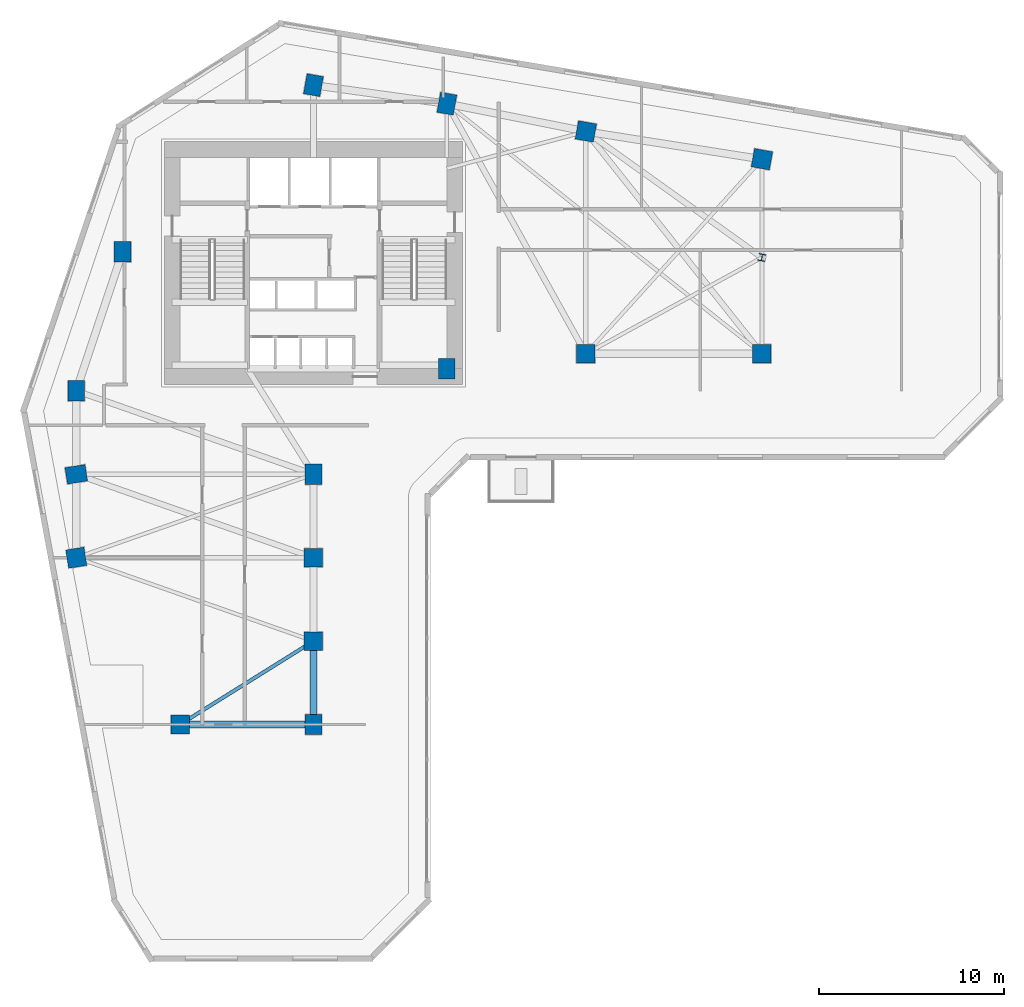
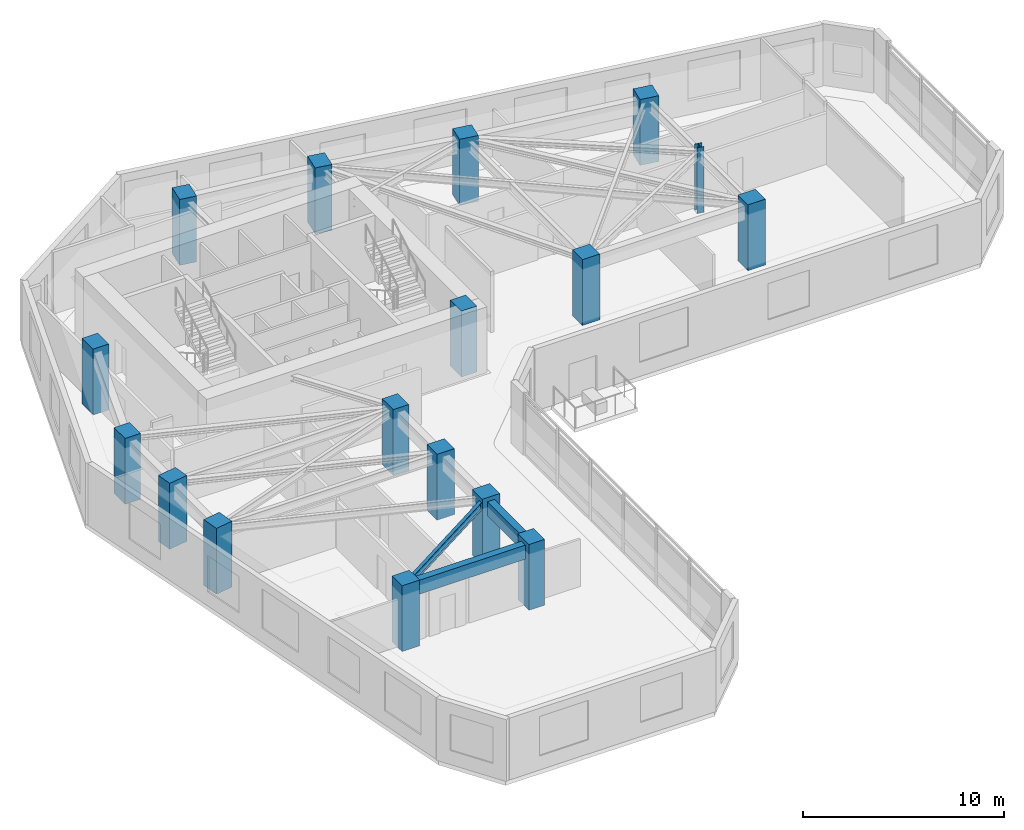
# One storey, part 1 of 11: 17 columns, 3 beams.
"""IFC4 building model written with IfcOpenShell, lengths in metres."""

from ifc_helpers import new_model, si_unit, direction, frame, origin, origin_2d, place, context, subcontext, project, spatial, rectangle, i_section, extrude, source, transform, mapped, material, material_profile, profile_set, type_object, element, save


model = new_model("IFC4")

# Units and contexts
model_context = context("Model", 3, precision=1e-05, world=origin(), true_north=direction((0.0, 1.0)))
body_context = subcontext(model_context, "Body", "Model", "MODEL_VIEW")
ifc_project = project(units=[si_unit("LENGTHUNIT", "METRE"), si_unit("AREAUNIT", "SQUARE_METRE"), si_unit("VOLUMEUNIT", "CUBIC_METRE"), si_unit("PLANEANGLEUNIT", "RADIAN"), si_unit("MASSUNIT", "GRAM", prefix="KILO")], contexts=[model_context])

# Site, building, storey
site_placement = place(None, origin())
site = spatial("IfcSite", under=ifc_project, at=site_placement, CompositionType="ELEMENT")
building_placement = place(site_placement, origin())
building = spatial("IfcBuilding", under=site, at=building_placement, Name="Calvemar Wedge Station Tower", CompositionType="ELEMENT")
storey_placement = place(building_placement, frame((0.0, 0.0, 43.0)))
storey = spatial("IfcBuildingStorey", under=building, at=storey_placement, Name="L10", CompositionType="ELEMENT", Elevation=43.0)

# Columns
ifc_material_1 = material(Name="Concrete C70", Category="concrete")
ifc_material_profile_1 = material_profile(ifc_material_1, rectangle(XDim=0.89990234375, YDim=1.10009765625, at=origin_2d()), Name="RC1100x900")
ifc_profile_set_1 = profile_set([ifc_material_profile_1], Name="Concrete C70")
column_type_1 = type_object("IfcColumnType", Name="COL-C3-1100x900", PredefinedType="COLUMN", material=ifc_profile_set_1)
shared_shape_1 = source(origin(), body_context, "Body", "SweptSolid", [
    extrude(rectangle(XDim=0.89990234375, YDim=1.10009765625, at=origin_2d()), origin(), (0.0, 0.0, 1.0), 4.0),
])
for number, where, z_axis, x_axis, name in (
    (1, (11.0, 33.0, 0.0), (0.0, 0.0, 1.0), (1.0, 0.0, 0.0), "Storey L10 Column T-NW1"),
    (2, (13.5, 40.5, 0.0), (0.0, 0.0, 1.0), (1.0, 0.0, 0.0), "Storey L10 Column T-NW2"),
    (3, (23.800048828125, 49.5, 0.0), (0.0, 0.0, 1.0), (0.984195607969, -0.17708474032, 0.0), "Storey L10 Column T-N1"),
    (4, (31.0, 48.5, 0.0), (0.0, 0.0, 1.0), (0.984195607969, -0.17708474032, 0.0), "Storey L10 Column T-N2"),
    (5, (31.0, 34.199951171875, 0.0), (0.0, 0.0, 1.0), (1.0, 0.0, 0.0), "Storey L10 Column T-NL1"),
    (6, (11.0, 28.5, 0.0), (0.0, 0.0, 1.0), (0.158158067254, -0.987413806751, 0.0), "Storey L10 Column T-SW1"),
    (7, (23.800048828125, 28.5, 0.0), (0.0, 0.0, 1.0), (1.0, 0.0, 0.0), "Storey L10 Column T-SE1"),
    (8, (23.800048828125, 15.0, 0.0), (0.0, 0.0, 1.0), (1.0, 0.0, 0.0), "Storey L10 Column T-SE4"),
):
    element("IfcColumn", number, at=place(storey_placement, frame(where, z_axis=z_axis, x_axis=x_axis)), inside=storey, type_object=column_type_1, Name=name, PredefinedType="COLUMN", context=body_context, shape_type="MappedRepresentation", body=[
        mapped(shared_shape_1, transform((0.0, 0.0, 0.0), scale=1.0)),
    ])
ifc_material_2 = material(Name="Concrete C60", Category="concrete")
ifc_material_profile_2 = material_profile(ifc_material_2, rectangle(XDim=1.0, YDim=1.0, at=origin_2d()), Name="RC1000x1000")
ifc_profile_set_2 = profile_set([ifc_material_profile_2], Name="Concrete C60")
column_type_2 = type_object("IfcColumnType", Name="COL-C4-1000", PredefinedType="COLUMN", material=ifc_profile_set_2)
shared_shape_2 = source(origin(), body_context, "Body", "SweptSolid", [
    extrude(rectangle(XDim=1.0, YDim=1.0, at=origin_2d()), origin(), (0.0, 0.0, 1.0), 4.0),
])
for number, where, z_axis, x_axis, name in (
    (9, (38.5, 47.0, 0.0), (0.0, 0.0, 1.0), (0.984195607969, -0.17708474032, 0.0), "Storey L10 Column T-NU3"),
    (10, (48.0, 45.5, 0.0), (0.0, 0.0, 1.0), (0.984195607969, -0.17708474032, 0.0), "Storey L10 Column T-NU4"),
    (11, (38.5, 35.0, 0.0), (0.0, 0.0, 1.0), (1.0, 0.0, 0.0), "Storey L10 Column T-NL2"),
    (12, (48.0, 35.0, 0.0), (0.0, 0.0, 1.0), (1.0, 0.0, 0.0), "Storey L10 Column T-NL3"),
    (13, (11.0, 24.0, 0.0), (0.0, 0.0, 1.0), (0.158158067254, -0.987413806751, 0.0), "Storey L10 Column T-SW2"),
    (14, (23.800048828125, 24.0, 0.0), (0.0, 0.0, 1.0), (1.0, 0.0, 0.0), "Storey L10 Column T-SE2"),
    (15, (23.800048828125, 19.5, 0.0), (0.0, 0.0, 1.0), (1.0, 0.0, 0.0), "Storey L10 Column T-SE3"),
    (16, (16.60009765625, 15.0, 0.0), (0.0, 0.0, 1.0), (1.0, 0.0, 0.0), "Storey L10 Column T-SM1"),
):
    element("IfcColumn", number, at=place(storey_placement, frame(where, z_axis=z_axis, x_axis=x_axis)), inside=storey, type_object=column_type_2, Name=name, PredefinedType="COLUMN", context=body_context, shape_type="MappedRepresentation", body=[
        mapped(shared_shape_2, transform((0.0, 0.0, 0.0), scale=1.0)),
    ])
ifc_material_3 = material(Name="Structural steel ASTM A572 Grade 50", Category="steel")
ifc_material_profile_3 = material_profile(ifc_material_3, i_section(OverallWidth=0.3740234375, OverallDepth=0.3720703125, WebThickness=0.016357421875, FlangeThickness=0.026123046875, FilletRadius=0.014892578125, at=origin_2d()), Name="W360x196")
ifc_profile_set_3 = profile_set([ifc_material_profile_3], Name="Structural steel ASTM A572 Grade 50")
column_type_3 = type_object("IfcColumnType", Name="COL-STL-W360", PredefinedType="COLUMN", material=ifc_profile_set_3)
shared_shape_3 = source(origin(), body_context, "Body", "SweptSolid", [
    extrude(i_section(OverallWidth=0.3740234375, OverallDepth=0.3720703125, WebThickness=0.016357421875, FlangeThickness=0.026123046875, FilletRadius=0.014892578125, at=origin_2d()), origin(), (0.0, 0.0, 1.0), 4.0),
])
column_placement = place(storey_placement, frame((48.0, 40.199951171875, 0.0), z_axis=(0.0, 0.0, 1.0), x_axis=(0.984195607969, -0.17708474032, 0.0)))
element("IfcColumn", 17, at=column_placement, inside=storey, type_object=column_type_3, Name="Storey L10 Column T-NTIP-A", PredefinedType="COLUMN", context=body_context, shape_type="MappedRepresentation", body=[
    mapped(shared_shape_3, transform((0.0, 0.0, 0.0), scale=1.0)),
])

# Beams
ifc_material_profile_4 = material_profile(ifc_material_2, rectangle(XDim=0.39990234375, YDim=0.85009765625, at=origin_2d()), Name="RC400x850")
ifc_profile_set_4 = profile_set([ifc_material_profile_4], Name="Concrete C60")
beam_type_1 = type_object("IfcBeamType", Name="BM-SP1-850", PredefinedType="SPANDREL", material=ifc_profile_set_4)
shared_shape_4 = source(origin(), body_context, "Body", "SweptSolid", [
    extrude(rectangle(XDim=0.39990234375, YDim=0.85009765625, at=origin_2d()), origin(), (0.0, 0.0, 1.0), 4.5),
])
beam_1_placement = place(storey_placement, frame((23.800048828125, 19.5, 3.324951171875), z_axis=(0.0, -1.0, 0.0), x_axis=(1.0, 0.0, 0.0)))
element("IfcBeam", 18, at=beam_1_placement, inside=storey, type_object=beam_type_1, Name="Storey L10 Spandrel T-SE3-T-SE4", PredefinedType="SPANDREL", context=body_context, shape_type="MappedRepresentation", body=[
    mapped(shared_shape_4, transform((0.0, 0.0, 0.0), scale=1.0)),
])
shared_shape_5 = source(origin(), body_context, "Body", "SweptSolid", [
    extrude(rectangle(XDim=0.39990234375, YDim=0.85009765625, at=origin_2d()), origin(), (0.0, 0.0, 1.0), 7.199951171875),
])
beam_2_placement = place(storey_placement, frame((16.60009765625, 15.0, 3.324951171875), z_axis=(1.0, 0.0, 0.0), x_axis=(0.0, 1.0, 0.0)))
element("IfcBeam", 19, at=beam_2_placement, inside=storey, type_object=beam_type_1, Name="Storey L10 Spandrel T-SM1-T-SE4", PredefinedType="SPANDREL", context=body_context, shape_type="MappedRepresentation", body=[
    mapped(shared_shape_5, transform((0.0, 0.0, 0.0), scale=1.0)),
])
ifc_material_profile_5 = material_profile(ifc_material_3, i_section(OverallWidth=0.19189453125, OverallDepth=0.462890625, WebThickness=0.010498046875, FlangeThickness=0.017578125, FilletRadius=0.012939453125, at=origin_2d()), Name="W460x89")
ifc_profile_set_5 = profile_set([ifc_material_profile_5], Name="Structural steel ASTM A572 Grade 50")
beam_type_2 = type_object("IfcBeamType", Name="BM-J1-W460", PredefinedType="JOIST", material=ifc_profile_set_5)
shared_shape_6 = source(origin(), body_context, "Body", "SweptSolid", [
    extrude(i_section(OverallWidth=0.19189453125, OverallDepth=0.462890625, WebThickness=0.010498046875, FlangeThickness=0.017578125, FilletRadius=0.012939453125, at=origin_2d()), origin(), (0.0, 0.0, 1.0), 8.490478515625),
])
beam_3_placement = place(storey_placement, frame((23.800048828125, 19.5, 3.5185546875), z_axis=(-0.847996688584, -0.530001524668, 0.0), x_axis=(0.530001524668, -0.847996688584, 0.0)))
element("IfcBeam", 20, at=beam_3_placement, inside=storey, type_object=beam_type_2, Name="Storey L10 Floor Beam T-SE3-T-SM1", PredefinedType="JOIST", context=body_context, shape_type="MappedRepresentation", body=[
    mapped(shared_shape_6, transform((0.0, 0.0, 0.0), scale=1.0)),
])

save(model, "model.ifc")
